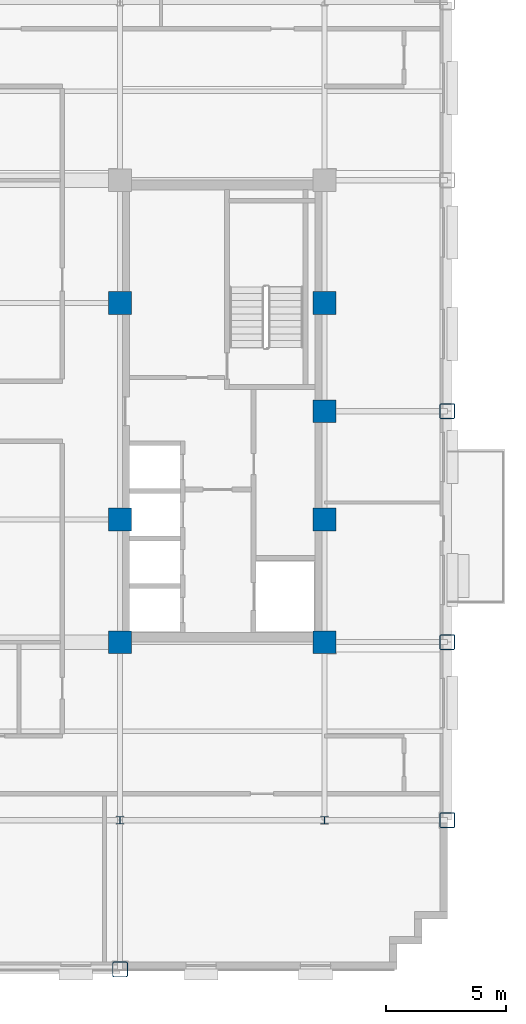
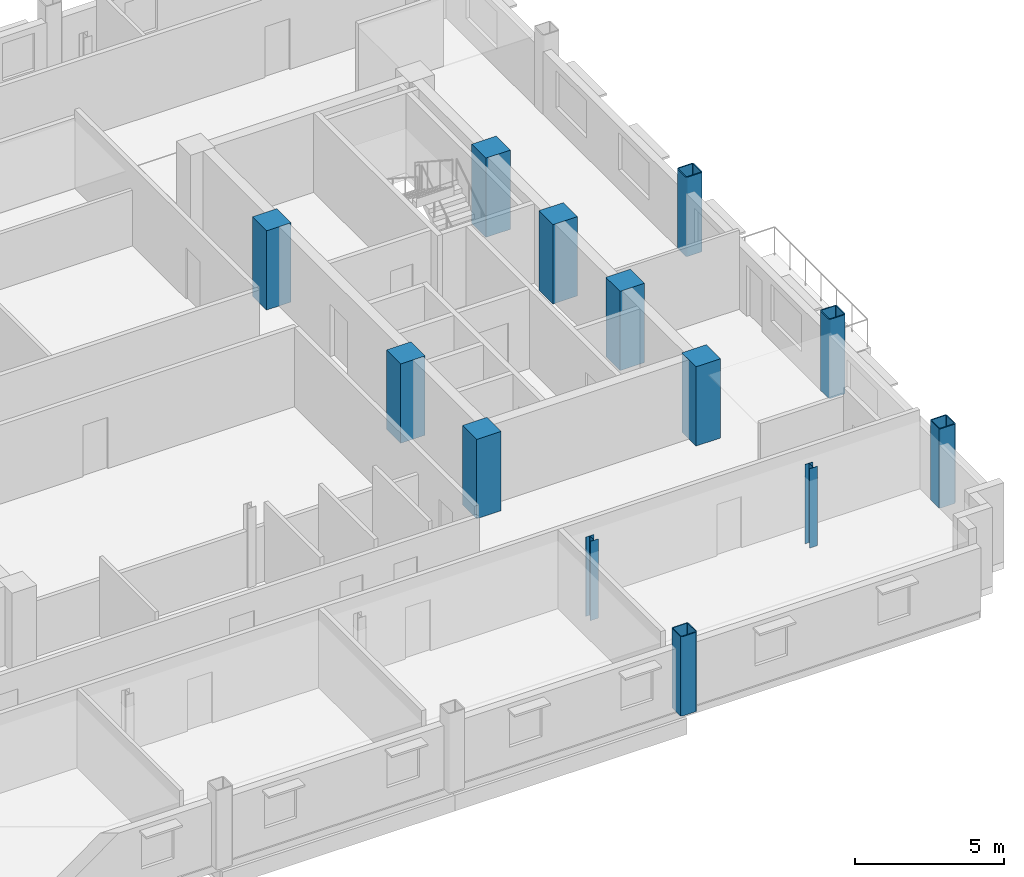
# One storey, part 2 of 14: 13 columns.
"""IFC4 building model written with IfcOpenShell, lengths in metres."""

from ifc_helpers import new_model, si_unit, direction, frame, origin, origin_2d, place, context, subcontext, project, spatial, rectangle, hollow_rectangle, i_section, extrude, material, material_profile, profile_set, type_object, element, save


model = new_model("IFC4")

# Units and contexts
model_context = context("Model", 3, precision=1e-05, world=origin(), true_north=direction((0.0, 1.0)))
body_context = subcontext(model_context, "Body", "Model", "MODEL_VIEW")
ifc_project = project(units=[si_unit("LENGTHUNIT", "METRE"), si_unit("AREAUNIT", "SQUARE_METRE"), si_unit("VOLUMEUNIT", "CUBIC_METRE"), si_unit("PLANEANGLEUNIT", "RADIAN"), si_unit("MASSUNIT", "GRAM", prefix="KILO")], contexts=[model_context])

# Site, building, storey
site_placement = place(None, origin())
site = spatial("IfcSite", under=ifc_project, at=site_placement, CompositionType="ELEMENT")
building_placement = place(site_placement, origin())
building = spatial("IfcBuilding", under=site, at=building_placement, Name="Nuvemarco Arch Tower", CompositionType="ELEMENT")
storey_placement = place(building_placement, frame((0.0, 0.0, 182.25)))
storey = spatial("IfcBuildingStorey", under=building, at=storey_placement, Name="L48", CompositionType="ELEMENT", Elevation=182.25)

# Columns
ifc_material_1 = material(Name="Concrete C50/60", Category="concrete")
ifc_material_profile_1 = material_profile(ifc_material_1, rectangle(XDim=0.949951171875, YDim=0.949951171875, at=origin_2d()), Name="RC-COL-950x950")
ifc_profile_set_1 = profile_set([ifc_material_profile_1], Name="Concrete C50/60")
column_type_1 = type_object("IfcColumnType", Name="COL-CORE-950", PredefinedType="COLUMN", material=ifc_profile_set_1)
for number, where, z_axis, x_axis, name in (
    (1, (9.0, -9.60009765625, 0.0), (0.0, 0.0, 1.0), (1.0, 0.0, 0.0), "L48 column CC_+9.0_-9.6"),
    (2, (9.0, -4.5, 0.0), (0.0, 0.0, 1.0), (1.0, 0.0, 0.0), "L48 column CC_+9.0_-4.5"),
    (3, (9.0, 4.5, 0.0), (0.0, 0.0, 1.0), (1.0, 0.0, 0.0), "L48 column CC_+9.0_+4.5"),
    (4, (17.5, -9.60009765625, 0.0), (0.0, 0.0, 1.0), (1.0, 0.0, 0.0), "L48 column CC_+17.5_-9.6"),
    (5, (17.5, -4.5, 0.0), (0.0, 0.0, 1.0), (1.0, 0.0, 0.0), "L48 column CC_+17.5_-4.5"),
    (6, (17.5, 4.5, 0.0), (0.0, 0.0, 1.0), (1.0, 0.0, 0.0), "L48 column CC_+17.5_+4.5"),
    (7, (17.5, 0.0, 0.0), (0.0, 0.0, 1.0), (1.0, 0.0, 0.0), "L48 column CC_+17.5_+0.0"),
):
    element("IfcColumn", number, at=place(storey_placement, frame(where, z_axis=z_axis, x_axis=x_axis)), inside=storey, type_object=column_type_1, Name=name, PredefinedType="COLUMN", context=body_context, shape_type="SweptSolid", body=[
        extrude(rectangle(XDim=0.949951171875, YDim=0.949951171875, at=origin_2d()), origin(), (0.0, 0.0, 1.0), 3.25),
    ])
ifc_material_2 = material(Name="Steel S355", Category="steel")
ifc_material_profile_2 = material_profile(ifc_material_2, hollow_rectangle(XDim=0.64990234375, YDim=0.64990234375, WallThickness=0.0400390625, InnerFilletRadius=0.0400390625, OuterFilletRadius=0.080078125, at=origin_2d()), Name="SHS650x650x40")
ifc_profile_set_2 = profile_set([ifc_material_profile_2], Name="Steel S355")
column_type_2 = type_object("IfcColumnType", Name="COL-EXO-650", PredefinedType="COLUMN", material=ifc_profile_set_2)
for number, where, z_axis, x_axis, name in (
    (8, (22.60009765625, -17.0, 0.0), (0.0, 0.0, 1.0), (1.0, 0.0, 0.0), "L48 column CX_+22.6_-17.0"),
    (9, (22.60009765625, -9.60009765625, 0.0), (0.0, 0.0, 1.0), (1.0, 0.0, 0.0), "L48 column CX_+22.6_-9.6"),
    (10, (22.60009765625, 0.0, 0.0), (0.0, 0.0, 1.0), (1.0, 0.0, 0.0), "L48 column CX_+22.6_+0.0"),
    (11, (9.0, -23.199951171875, 0.0), (0.0, 0.0, 1.0), (1.0, 0.0, 0.0), "L48 column CY_+9.0_-23.2"),
):
    element("IfcColumn", number, at=place(storey_placement, frame(where, z_axis=z_axis, x_axis=x_axis)), inside=storey, type_object=column_type_2, Name=name, PredefinedType="COLUMN", context=body_context, shape_type="SweptSolid", body=[
        extrude(hollow_rectangle(XDim=0.64990234375, YDim=0.64990234375, WallThickness=0.0400390625, InnerFilletRadius=0.0400390625, OuterFilletRadius=0.080078125, at=origin_2d()), origin(), (0.0, 0.0, 1.0), 3.25),
    ])
ifc_material_profile_3 = material_profile(ifc_material_2, i_section(OverallWidth=0.31005859375, OverallDepth=0.31005859375, WebThickness=0.015380859375, FlangeThickness=0.015380859375, FilletRadius=0.014892578125, at=origin_2d()), Name="HP310x110")
ifc_profile_set_3 = profile_set([ifc_material_profile_3], Name="Steel S355")
column_type_3 = type_object("IfcColumnType", Name="COL-STL-HP310", PredefinedType="COLUMN", material=ifc_profile_set_3)
for number, where, z_axis, x_axis, name in (
    (12, (9.0, -17.0, 0.0), (0.0, 0.0, 1.0), (1.0, 0.0, 0.0), "L48 column CI_+9.0_-17.0"),
    (13, (17.5, -17.0, 0.0), (0.0, 0.0, 1.0), (1.0, 0.0, 0.0), "L48 column CI_+17.5_-17.0"),
):
    element("IfcColumn", number, at=place(storey_placement, frame(where, z_axis=z_axis, x_axis=x_axis)), inside=storey, type_object=column_type_3, Name=name, PredefinedType="COLUMN", context=body_context, shape_type="SweptSolid", body=[
        extrude(i_section(OverallWidth=0.31005859375, OverallDepth=0.31005859375, WebThickness=0.015380859375, FlangeThickness=0.015380859375, FilletRadius=0.014892578125, at=origin_2d()), origin(), (0.0, 0.0, 1.0), 3.25),
    ])

save(model, "model.ifc")
